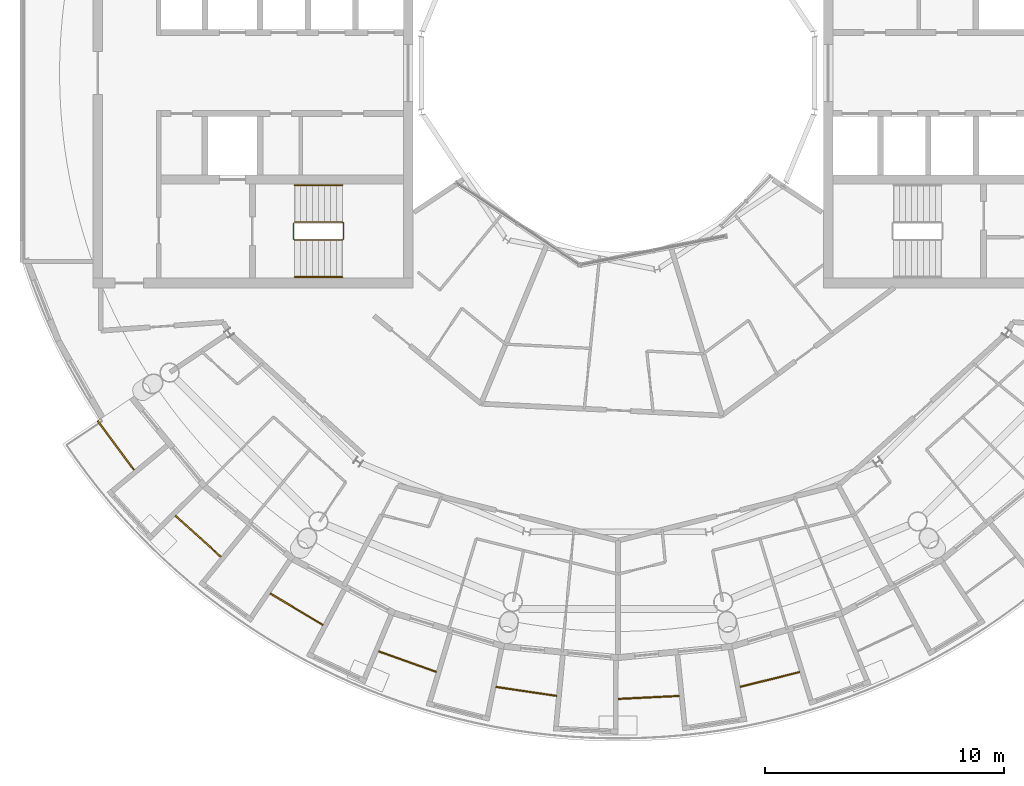
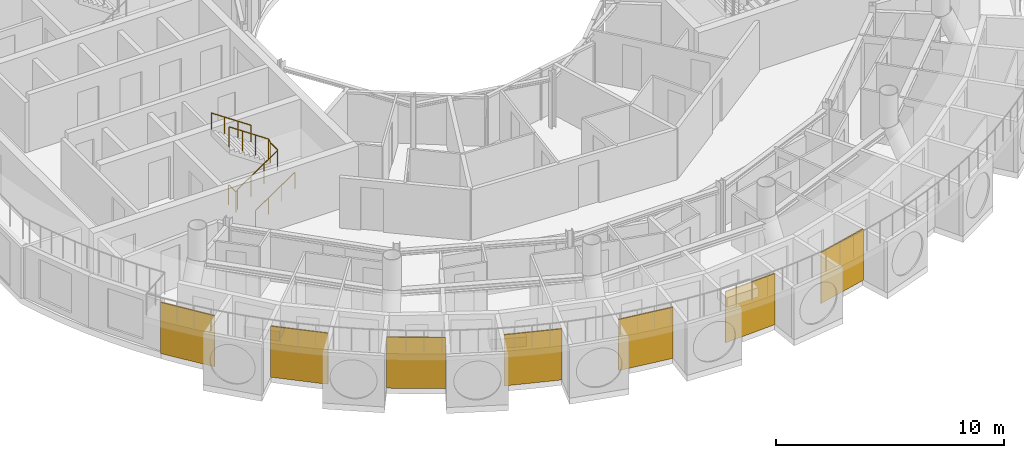
# One storey, part 24 of 25: 10 railings.
"""IFC4 building model written with IfcOpenShell, lengths in metres."""

from ifc_helpers import new_model, si_unit, direction, frame, origin, origin_2d, place, context, subcontext, project, spatial, polyline, circle, outline, extrude, material, layer, layer_set, type_object, element, save


model = new_model("IFC4")

# Units and contexts
model_context = context("Model", 3, precision=1e-05, world=origin(), true_north=direction((0.0, 1.0)))
body_context = subcontext(model_context, "Body", "Model", "MODEL_VIEW")
ifc_project = project(units=[si_unit("LENGTHUNIT", "METRE"), si_unit("AREAUNIT", "SQUARE_METRE"), si_unit("VOLUMEUNIT", "CUBIC_METRE"), si_unit("PLANEANGLEUNIT", "RADIAN"), si_unit("MASSUNIT", "GRAM", prefix="KILO")], contexts=[model_context])

# Site, building, storey
site_placement = place(None, origin())
site = spatial("IfcSite", under=ifc_project, at=site_placement, CompositionType="ELEMENT")
building_placement = place(site_placement, origin())
building = spatial("IfcBuilding", under=site, at=building_placement, Name="Maasbend Ring Residences", CompositionType="ELEMENT")
storey_placement = place(building_placement, frame((0.0, 0.0, 246.25)))
storey = spatial("IfcBuildingStorey", under=building, at=storey_placement, Name="L71", CompositionType="ELEMENT", Elevation=246.25)

# Railings
ifc_material_1 = material(Name="Pale anodised perforated aluminium", Category="aluminium")
ifc_layer = layer(ifc_material_1, 0.06005859375)
ifc_layer_set = layer_set([ifc_layer], Name="SCREEN-P")
railing_type_1 = type_object("IfcRailingType", Name="SCREEN-P", PredefinedType="GUARDRAIL", material=ifc_layer_set)
railing_1_placement = place(storey_placement, frame((0.0, 0.0, -0.030029296875)))
element("IfcRailing", 1, at=railing_1_placement, inside=storey, type_object=railing_type_1, Name="Perforated screen guard 1", PredefinedType="GUARDRAIL", context=body_context, shape_type="SweptSolid", body=[
    extrude(outline(polyline([(-21.784912109375, -14.555908203125), (-20.2529296875, -16.62109375), (-20.301025390625, -16.656982421875), (-21.8330078125, -14.592041015625), (-21.784912109375, -14.555908203125)])), origin(), (0.0, 0.0, 1.0), 2.72998046875),
])
railing_2_placement = place(storey_placement, frame((0.0, 0.0, -0.030029296875)))
element("IfcRailing", 2, at=railing_2_placement, inside=storey, type_object=railing_type_1, Name="Perforated screen guard 2", PredefinedType="GUARDRAIL", context=body_context, shape_type="SweptSolid", body=[
    extrude(outline(polyline([(-18.52587890625, -18.52587890625), (-16.62109375, -20.2529296875), (-16.660888671875, -20.297119140625), (-18.56591796875, -18.571044921875), (-18.52587890625, -18.52587890625)])), origin(), (0.0, 0.0, 1.0), 2.72998046875),
])
railing_3_placement = place(storey_placement, frame((0.0, 0.0, -0.030029296875)))
element("IfcRailing", 3, at=railing_3_placement, inside=storey, type_object=railing_type_1, Name="Perforated screen guard 3", PredefinedType="GUARDRAIL", context=body_context, shape_type="SweptSolid", body=[
    extrude(outline(polyline([(-14.555908203125, -21.784912109375), (-12.35107421875, -23.10595703125), (-12.381103515625, -23.157958984375), (-14.5869140625, -21.8359375), (-14.555908203125, -21.784912109375)])), origin(), (0.0, 0.0, 1.0), 2.72998046875),
])
railing_4_placement = place(storey_placement, frame((0.0, 0.0, -0.030029296875)))
element("IfcRailing", 4, at=railing_4_placement, inside=storey, type_object=railing_type_1, Name="Perforated screen guard 4", PredefinedType="GUARDRAIL", context=body_context, shape_type="SweptSolid", body=[
    extrude(outline(polyline([(-10.02587890625, -24.2060546875), (-7.60498046875, -25.072021484375), (-7.6259765625, -25.1279296875), (-10.047119140625, -24.261962890625), (-10.02587890625, -24.2060546875)])), origin(), (0.0, 0.0, 1.0), 2.72998046875),
])
railing_5_placement = place(storey_placement, frame((0.0, 0.0, -0.030029296875)))
element("IfcRailing", 5, at=railing_5_placement, inside=storey, type_object=railing_type_1, Name="Perforated screen guard 5", PredefinedType="GUARDRAIL", context=body_context, shape_type="SweptSolid", body=[
    extrude(outline(polyline([(-5.111083984375, -25.697021484375), (-2.568115234375, -26.073974609375), (-2.576904296875, -26.133056640625), (-5.1201171875, -25.756103515625), (-5.111083984375, -25.697021484375)])), origin(), (0.0, 0.0, 1.0), 2.72998046875),
])
railing_6_placement = place(storey_placement, frame((0.0, 0.0, -0.030029296875)))
element("IfcRailing", 6, at=railing_6_placement, inside=storey, type_object=railing_type_1, Name="Perforated screen guard 6", PredefinedType="GUARDRAIL", context=body_context, shape_type="SweptSolid", body=[
    extrude(outline(polyline([(0.0, -26.199951171875), (2.568115234375, -26.073974609375), (2.571044921875, -26.134033203125), (0.0029296875, -26.260009765625), (0.0, -26.199951171875)])), origin(), (0.0, 0.0, 1.0), 2.72998046875),
])
railing_7_placement = place(storey_placement, frame((0.0, 0.0, -0.030029296875)))
element("IfcRailing", 7, at=railing_7_placement, inside=storey, type_object=railing_type_1, Name="Perforated screen guard 7", PredefinedType="GUARDRAIL", context=body_context, shape_type="SweptSolid", body=[
    extrude(outline(polyline([(5.111083984375, -25.697021484375), (7.60498046875, -25.072021484375), (7.6201171875, -25.1298828125), (5.1259765625, -25.7548828125), (5.111083984375, -25.697021484375)])), origin(), (0.0, 0.0, 1.0), 2.72998046875),
])
ifc_material_2 = material(Name="Stainless steel 316", Category="steel")
railing_type_2 = type_object("IfcRailingType", Name="STAIR GUARD 1100", PredefinedType="GUARDRAIL", material=ifc_material_2)
railing_8_placement = place(storey_placement, frame((-13.60009765625, -6.300048828125, 0.0)))
element("IfcRailing", 8, at=railing_8_placement, inside=storey, type_object=railing_type_2, Name="L71 ST-W1 stair guard 1", PredefinedType="GUARDRAIL", context=body_context, shape_type="SweptSolid", body=[
    extrude(circle(Radius=0.02392578125, at=origin_2d()), frame((0.0, 0.0, 1.076171875), z_axis=(0.0, -1.0, 0.0), x_axis=(1.0, 0.0, 0.0)), (0.0, 0.0, 1.0), 0.64990234375),
    extrude(circle(Radius=0.02392578125, at=origin_2d()), frame((0.0, -0.64990234375, 1.076171875), z_axis=(0.272562526181, -0.272562526181, 0.92272386912), x_axis=(0.707106781187, 0.707106781187, 0.0)), (0.0, 0.0, 1.0), 0.18359375),
    extrude(circle(Radius=0.02392578125, at=origin_2d()), frame((0.050048828125, -0.699951171875, 1.24560546875), z_axis=(0.827797584762, 0.0, 0.561026878735), x_axis=(0.0, 1.0, 0.0)), (0.0, 0.0, 1.0), 2.416015625),
    extrude(circle(Radius=0.02392578125, at=origin_2d()), frame((2.050048828125, -0.699951171875, 2.60107421875), z_axis=(0.707106781187, 0.707106781187, 0.0), x_axis=(-0.707106781187, 0.707106781187, 0.0)), (0.0, 0.0, 1.0), 0.07080078125),
    extrude(circle(Radius=0.02392578125, at=origin_2d()), frame((2.10009765625, -0.64990234375, 2.60107421875), z_axis=(0.0, 1.0, 0.0), x_axis=(-1.0, 0.0, 0.0)), (0.0, 0.0, 1.0), 0.64990234375),
    extrude(circle(Radius=0.02392578125, at=origin_2d()), frame((2.10009765625, 0.0, 2.60107421875), z_axis=(-0.272562526181, 0.272562526181, 0.92272386912), x_axis=(-0.707106781187, -0.707106781187, 0.0)), (0.0, 0.0, 1.0), 0.18359375),
    extrude(circle(Radius=0.02392578125, at=origin_2d()), frame((2.050048828125, 0.050048828125, 2.7705078125), z_axis=(-0.827750655447, 0.0, 0.561096116906), x_axis=(0.0, -1.0, 0.0)), (0.0, 0.0, 1.0), 2.416259765625),
    extrude(circle(Radius=0.02099609375, at=origin_2d()), origin(), (0.0, 0.0, 1.0), 1.052001953125),
    extrude(circle(Radius=0.02099609375, at=origin_2d()), frame((0.0, -0.64990234375, 0.0)), (0.0, 0.0, 1.0), 1.052001953125),
    extrude(circle(Radius=0.02099609375, at=origin_2d()), frame((0.050048828125, -0.699951171875, 0.16943359375)), (0.0, 0.0, 1.0), 1.052001953125),
    extrude(circle(Radius=0.02099609375, at=origin_2d()), frame((0.716796875, -0.699951171875, 0.621337890625)), (0.0, 0.0, 1.0), 1.052001953125),
    extrude(circle(Radius=0.02099609375, at=origin_2d()), frame((1.38330078125, -0.699951171875, 1.072998046875)), (0.0, 0.0, 1.0), 1.052001953125),
    extrude(circle(Radius=0.02099609375, at=origin_2d()), frame((2.050048828125, -0.699951171875, 1.52490234375)), (0.0, 0.0, 1.0), 1.052001953125),
    extrude(circle(Radius=0.02099609375, at=origin_2d()), frame((2.10009765625, -0.64990234375, 1.52490234375)), (0.0, 0.0, 1.0), 1.052001953125),
    extrude(circle(Radius=0.02099609375, at=origin_2d()), frame((2.10009765625, 0.0, 1.52490234375)), (0.0, 0.0, 1.0), 1.052001953125),
    extrude(circle(Radius=0.02099609375, at=origin_2d()), frame((2.050048828125, 0.050048828125, 1.6943359375)), (0.0, 0.0, 1.0), 1.052001953125),
    extrude(circle(Radius=0.02099609375, at=origin_2d()), frame((1.38330078125, 0.050048828125, 2.146240234375)), (0.0, 0.0, 1.0), 1.052001953125),
    extrude(circle(Radius=0.02099609375, at=origin_2d()), frame((0.716796875, 0.050048828125, 2.59814453125)), (0.0, 0.0, 1.0), 1.052001953125),
    extrude(circle(Radius=0.02099609375, at=origin_2d()), frame((0.050048828125, 0.050048828125, 3.050048828125)), (0.0, 0.0, 1.0), 1.052001953125),
])
ifc_material_3 = material(Name="Stainless steel 316", Category="steel")
railing_type_3 = type_object("IfcRailingType", Name="STAIR HANDRAIL 900", PredefinedType="HANDRAIL", material=ifc_material_3)
railing_9_placement = place(storey_placement, frame((-13.550048828125, -8.550048828125, 0.16943359375)))
element("IfcRailing", 9, at=railing_9_placement, inside=storey, type_object=railing_type_3, Name="L71 ST-W1 stair handrail 1", PredefinedType="HANDRAIL", context=body_context, shape_type="SweptSolid", body=[
    extrude(circle(Radius=0.02392578125, at=origin_2d()), frame((0.0, 0.0, 0.8759765625), z_axis=(0.827797584762, 0.0, 0.561026878735), x_axis=(0.0, 1.0, 0.0)), (0.0, 0.0, 1.0), 2.416015625),
    extrude(circle(Radius=0.02099609375, at=origin_2d()), origin(), (0.0, 0.0, 1.0), 0.851806640625),
    extrude(circle(Radius=0.02099609375, at=origin_2d()), frame((0.666748046875, 0.0, 0.451904296875)), (0.0, 0.0, 1.0), 0.851806640625),
    extrude(circle(Radius=0.02099609375, at=origin_2d()), frame((1.333251953125, 0.0, 0.903564453125)), (0.0, 0.0, 1.0), 0.851806640625),
    extrude(circle(Radius=0.02099609375, at=origin_2d()), frame((2.0, 0.0, 1.35546875)), (0.0, 0.0, 1.0), 0.851806640625),
])
railing_10_placement = place(storey_placement, frame((-11.550048828125, -4.699951171875, 1.6943359375)))
element("IfcRailing", 10, at=railing_10_placement, inside=storey, type_object=railing_type_3, Name="L71 ST-W1 stair handrail 2", PredefinedType="HANDRAIL", context=body_context, shape_type="SweptSolid", body=[
    extrude(circle(Radius=0.02392578125, at=origin_2d()), frame((0.0, 0.0, 0.8759765625), z_axis=(-0.827750655447, 0.0, 0.561096116906), x_axis=(0.0, -1.0, 0.0)), (0.0, 0.0, 1.0), 2.416259765625),
    extrude(circle(Radius=0.02099609375, at=origin_2d()), origin(), (0.0, 0.0, 1.0), 0.851806640625),
    extrude(circle(Radius=0.02099609375, at=origin_2d()), frame((-0.666748046875, 0.0, 0.451904296875)), (0.0, 0.0, 1.0), 0.851806640625),
    extrude(circle(Radius=0.02099609375, at=origin_2d()), frame((-1.333251953125, 0.0, 0.90380859375)), (0.0, 0.0, 1.0), 0.851806640625),
    extrude(circle(Radius=0.02099609375, at=origin_2d()), frame((-2.0, 0.0, 1.355712890625)), (0.0, 0.0, 1.0), 0.851806640625),
])

save(model, "model.ifc")
